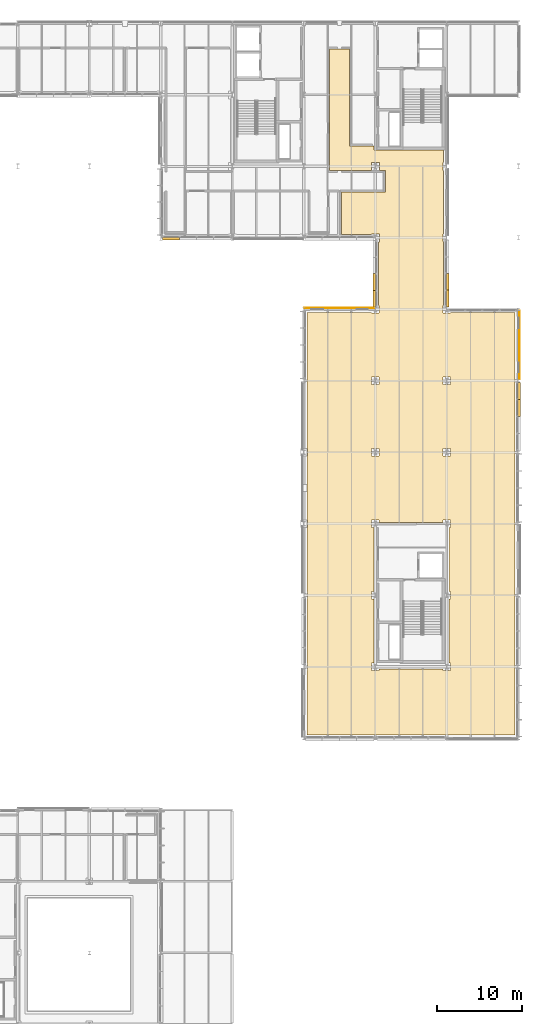
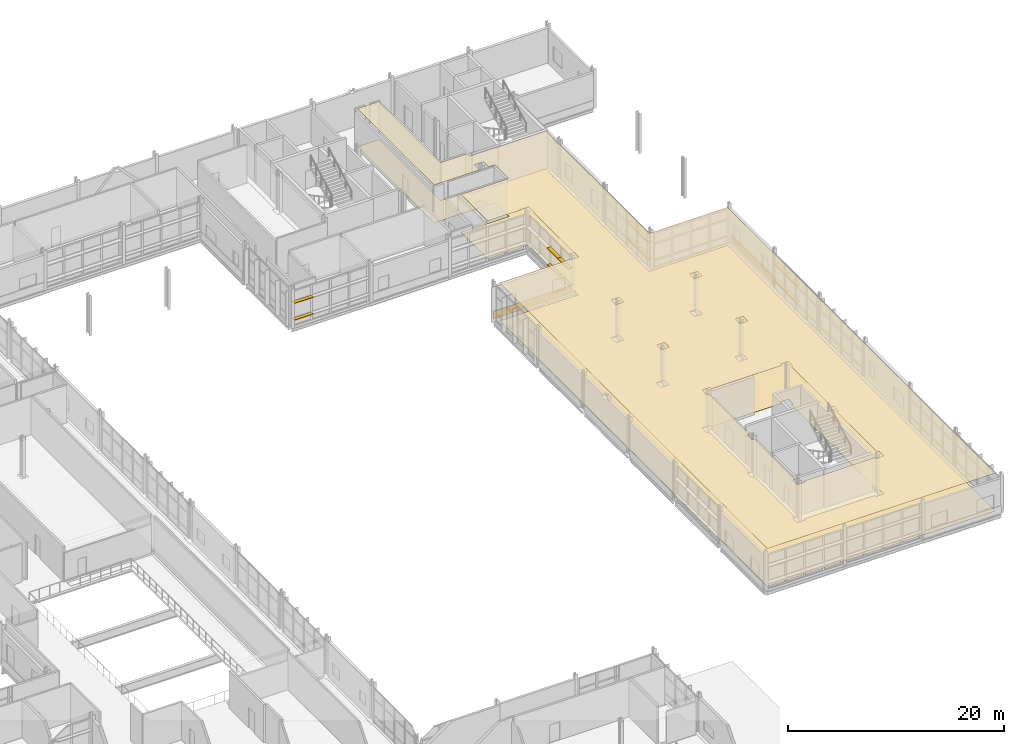
# One storey, part 125 of 129: 14 shading devices, 4 coverings.
"""IFC4 building model written with IfcOpenShell, lengths in metres."""

import ifcopenshell
import ifcopenshell.guid

model = None  # the IFC model being written
_history = None  # IfcOwnerHistory: only IFC2X3 demands one
_inside = {}  # id of a spatial element -> (the spatial element, [elements in it])
_under = {}  # id of a project, library or spatial element -> (it, [spatial elements below it])
_declared = {}  # id of a project -> (the project, [libraries it declares])
_typed = {}  # id of a type object -> (the type object, [elements of that type])
_made_of = {}  # id of a material, layer set ... -> (it, [elements and type objects made of it])


def new_model(schema):
    """Start an empty IFC model of exactly this schema.

    Asked for "IFC4X3", IfcOpenShell would pick the latest addendum, in which some entities
    have other attributes; the version numbers below select the first issue.
    IFC2X3 requires an IfcOwnerHistory on every rooted entity: one is made here for all.
    """
    global model, _history
    if schema == "IFC4X3":
        model = ifcopenshell.file(schema_version=(4, 3, 0, 0))
    else:
        model = ifcopenshell.file(schema=schema)
    _inside.clear()
    _under.clear()
    _declared.clear()
    _typed.clear()
    _made_of.clear()
    _history = None
    if model.schema == "IFC2X3":
        org = make("IfcOrganization", Name="unknown")
        user = make(
            "IfcPersonAndOrganization",
            ThePerson=make("IfcPerson", FamilyName="unknown"),
            TheOrganization=org,
        )
        app = make(
            "IfcApplication",
            ApplicationDeveloper=org,
            Version="unknown",
            ApplicationFullName="unknown",
            ApplicationIdentifier="unknown",
        )
        _history = make(
            "IfcOwnerHistory",
            OwningUser=user,
            OwningApplication=app,
            ChangeAction="ADDED",
            CreationDate=0,
        )
    return model


def make(cls, **values):
    """One entity of the class cls with the attributes given. An attribute that is None is left unset."""
    return model.create_entity(
        cls, **{name: value for name, value in values.items() if value is not None}
    )


def rooted(cls, **values):
    """An entity with a GlobalId (a new one), such as an element, a storey or a relation."""
    return make(cls, GlobalId=ifcopenshell.guid.new(), OwnerHistory=_history, **values)


def si_unit(unit_type, name, prefix=None):
    """IfcSIUnit, for example si_unit("LENGTHUNIT", "METRE", prefix="MILLI")."""
    return make("IfcSIUnit", UnitType=unit_type, Prefix=prefix, Name=name)


def assignment(units):
    """IfcUnitAssignment: the units of a project."""
    return None if units is None else make("IfcUnitAssignment", Units=units)


def point(xyz):
    """IfcCartesianPoint."""
    return None if xyz is None else make("IfcCartesianPoint", Coordinates=xyz)


def direction(xyz):
    """IfcDirection."""
    return None if xyz is None else make("IfcDirection", DirectionRatios=xyz)


def frame(location, z_axis=None, x_axis=None):
    """IfcAxis2Placement3D, a coordinate frame: its origin and axes. An axis left out is left unset."""
    return make(
        "IfcAxis2Placement3D",
        Location=point(location),
        Axis=direction(z_axis),
        RefDirection=direction(x_axis),
    )


def frame_2d(location, x_axis=None):
    """IfcAxis2Placement2D, a coordinate frame in the plane: its origin and x axis."""
    return make(
        "IfcAxis2Placement2D", Location=point(location), RefDirection=direction(x_axis)
    )


def origin():
    """The frame at (0, 0, 0) with its axes left unset."""
    return frame((0.0, 0.0, 0.0))


def origin_2d():
    """The frame at (0, 0) in the plane with its x axis left unset."""
    return frame_2d((0.0, 0.0))


def place(relative_to, where):
    """IfcLocalPlacement: puts the frame where relative to a parent placement (None: the world)."""
    return make(
        "IfcLocalPlacement", PlacementRelTo=relative_to, RelativePlacement=where
    )


def context(
    kind, dimensions, precision=None, world=None, true_north=None, identifier=None
):
    """IfcGeometricRepresentationContext, for example the 3D "Model" context."""
    return make(
        "IfcGeometricRepresentationContext",
        ContextIdentifier=identifier,
        ContextType=kind,
        CoordinateSpaceDimension=dimensions,
        Precision=precision,
        WorldCoordinateSystem=world,
        TrueNorth=true_north,
    )


def subcontext(parent, identifier, kind, view, scale=None):
    """IfcGeometricRepresentationSubContext, for example "Body" below "Model"."""
    return make(
        "IfcGeometricRepresentationSubContext",
        ContextIdentifier=identifier,
        ContextType=kind,
        ParentContext=parent,
        TargetScale=scale,
        TargetView=view,
    )


def project(units=None, contexts=None):
    """IfcProject with its units and contexts."""
    return rooted(
        "IfcProject",
        Name="project",
        RepresentationContexts=contexts,
        UnitsInContext=assignment(units),
    )


def spatial(cls, under=None, at=None, **own):
    """A site, building, storey or space (cls), placed at a placement, below another one or the project."""
    s = rooted(cls, ObjectPlacement=at, **own)
    if under is not None:
        _under.setdefault(under.id(), (under, []))[1].append(s)
    return s


def polyline(points):
    """IfcPolyline through the points."""
    return make("IfcPolyline", Points=[point(p) for p in points])


def profile(cls, at=None, kind="AREA", **sizes):
    """A parametric profile (cls). Its sizes go by their IFC names, for example OverallWidth=200.0."""
    return make(cls, ProfileType=kind, Position=at, **sizes)


def rectangle(**sizes):
    """IfcRectangleProfileDef."""
    return profile("IfcRectangleProfileDef", **sizes)


def outline(outer, holes=None, kind="AREA"):
    """IfcArbitraryClosedProfileDef: a profile drawn as a closed curve; with holes, ...WithVoids."""
    if holes is None:
        return make("IfcArbitraryClosedProfileDef", ProfileType=kind, OuterCurve=outer)
    return make(
        "IfcArbitraryProfileDefWithVoids",
        ProfileType=kind,
        OuterCurve=outer,
        InnerCurves=holes,
    )


def extrude(swept, where, along, depth):
    """IfcExtrudedAreaSolid: the profile swept, set in the frame where, extruded along a direction by depth."""
    return make(
        "IfcExtrudedAreaSolid",
        SweptArea=swept,
        Position=where,
        ExtrudedDirection=direction(along),
        Depth=depth,
    )


def shape(context_of_items, identifier, shape_type, items):
    """IfcShapeRepresentation: the items that make up one representation, for example the "Body"."""
    return make(
        "IfcShapeRepresentation",
        ContextOfItems=context_of_items,
        RepresentationIdentifier=identifier,
        RepresentationType=shape_type,
        Items=items,
    )


def material(Name=None, Category=None):
    """IfcMaterial."""
    return make("IfcMaterial", Name=Name, Category=Category)


def layer(
    of_material, thickness, ventilated=None, Name=None, Category=None, Priority=None
):
    """IfcMaterialLayer: one layer of a wall or slab, of a material (None: an air gap)."""
    return make(
        "IfcMaterialLayer",
        Material=of_material,
        LayerThickness=thickness,
        IsVentilated=ventilated,
        Name=Name,
        Category=Category,
        Priority=Priority,
    )


def layer_set(layers, Name=None):
    """IfcMaterialLayerSet."""
    return make("IfcMaterialLayerSet", MaterialLayers=layers, LayerSetName=Name)


def made_of(thing, what):
    """Note that an element or type object is made of a material, layer set ...; save() writes the relation."""
    if what is not None:
        _made_of.setdefault(what.id(), (what, []))[1].append(thing)
    return thing


def type_object(cls, material=None, **own):
    """A type object (cls), such as IfcWallType, which elements share."""
    return made_of(rooted(cls, **own), material)


def element(
    cls,
    number,
    at=None,
    inside=None,
    cuts=None,
    type_object=None,
    material=None,
    context=None,
    identifier="Body",
    shape_type=None,
    held_by="IfcProductDefinitionShape",
    body=None,
    shapes=None,
    **own,
):
    """One element of the class cls, such as IfcWall. Its Tag is "e" and its number.

    at: its placement. inside: the storey or other place that contains it. cuts: it is an
    opening in that element (IfcRelVoidsElement). A single representation is given by context,
    identifier, shape_type and body (its items); several are given by shapes. held_by: the class
    of the entity that holds the representations. save() writes the other relations.
    """
    e = rooted(cls, Tag="e%d" % number, ObjectPlacement=at, **own)
    if body is not None:
        shapes = [shape(context, identifier, shape_type, body)]
    if shapes is not None:
        e.Representation = make(held_by, Representations=shapes)
    if inside is not None:
        _inside.setdefault(inside.id(), (inside, []))[1].append(e)
    if cuts is not None:
        rooted(
            "IfcRelVoidsElement", RelatingBuildingElement=cuts, RelatedOpeningElement=e
        )
    if type_object is not None:
        _typed.setdefault(type_object.id(), (type_object, []))[1].append(e)
    return made_of(e, material)


def aggregate(whole, parts):
    """IfcRelAggregates: a whole, such as a stair, and the parts it consists of."""
    return rooted("IfcRelAggregates", RelatingObject=whole, RelatedObjects=parts)


def save(model, path):
    """Write the relations noted so far, then the file.

    IfcRelAggregates (storeys below a building ...), IfcRelContainedInSpatialStructure (elements
    in a storey), IfcRelDefinesByType, IfcRelAssociatesMaterial and IfcRelDeclares: one each for
    every whole, place, type object, material and project.
    """
    for whole, parts in _under.values():
        aggregate(whole, parts)
    for where, things in _inside.values():
        rooted(
            "IfcRelContainedInSpatialStructure",
            RelatedElements=things,
            RelatingStructure=where,
        )
    for kind, things in _typed.values():
        rooted("IfcRelDefinesByType", RelatedObjects=things, RelatingType=kind)
    for what, things in _made_of.values():
        rooted("IfcRelAssociatesMaterial", RelatedObjects=things, RelatingMaterial=what)
    for by, libraries in _declared.values():
        rooted("IfcRelDeclares", RelatingContext=by, RelatedDefinitions=libraries)
    model.write(path)


model = new_model("IFC4")

# Units and contexts
model_context = context("Model", 3, precision=1e-05, world=origin(), true_north=direction((0.0, 1.0)))
body_context = subcontext(model_context, "Body", "Model", "MODEL_VIEW")
ifc_project = project(units=[si_unit("LENGTHUNIT", "METRE"), si_unit("AREAUNIT", "SQUARE_METRE"), si_unit("VOLUMEUNIT", "CUBIC_METRE"), si_unit("PLANEANGLEUNIT", "RADIAN"), si_unit("MASSUNIT", "GRAM", prefix="KILO")], contexts=[model_context])

# Site, building, storey
site_placement = place(None, origin())
site = spatial("IfcSite", under=ifc_project, at=site_placement, CompositionType="ELEMENT")
building_placement = place(site_placement, origin())
building = spatial("IfcBuilding", under=site, at=building_placement, Name="Mersafa Astral City Hall", CompositionType="ELEMENT")
storey_placement = place(building_placement, frame((0.0, 0.0, 5.39990234375)))
storey = spatial("IfcBuildingStorey", under=building, at=storey_placement, Name="L01", CompositionType="ELEMENT", Elevation=5.39990234375)

# Coverings
ifc_material_1 = material(Name="Cairo Mokattam buff limestone cladding", Category="masonry")
ifc_layer_1 = layer(ifc_material_1, 0.06005859375, Name="Cairo Mokattam buff limestone cladding")
ifc_layer_set_1 = layer_set([ifc_layer_1], Name="Cairo Mokattam buff limestone cladding — ENV-COV-LIMESTONE-60")
covering_type_1 = type_object("IfcCoveringType", Name="ENV-COV-LIMESTONE-60", PredefinedType="CLADDING", material=ifc_layer_set_1)
covering_1_placement = place(storey_placement, frame((163.800048828125, 92.576904296875, 0.0), z_axis=(0.0, 0.0, 1.0), x_axis=(-1.0, 0.0, 0.0)))
element("IfcCovering", 1, at=covering_1_placement, inside=storey, type_object=covering_type_1, Name="L01 Cairo buff limestone rainscreen cladding 84", PredefinedType="CLADDING", context=body_context, shape_type="SweptSolid", body=[
    extrude(rectangle(XDim=8.323974609375, YDim=0.06005859375, at=origin_2d()), origin(), (0.0, 0.0, 1.0), 0.860107421875),
])
covering_2_placement = place(storey_placement, frame((184.969482421875, 88.199951171875, 0.0), z_axis=(0.0, 0.0, 1.0), x_axis=(0.0, 1.0, 0.0)))
element("IfcCovering", 2, at=covering_2_placement, inside=storey, type_object=covering_type_1, Name="L01 Cairo buff limestone rainscreen cladding 91", PredefinedType="CLADDING", context=body_context, shape_type="SweptSolid", body=[
    extrude(rectangle(XDim=8.048095703125, YDim=0.06005859375, at=origin_2d()), origin(), (0.0, 0.0, 1.0), 0.860107421875),
])

# Shading devices
ifc_material_2 = material(Name="Kiln-dried cedar timber brise-soleil blade", Category="wood")
shading_device_type = type_object("IfcShadingDeviceType", Name="ENV-SHD-LOUVRE-380", PredefinedType="JALOUSIE", material=ifc_material_2)
for number, where, z_axis, x_axis, name in (
    (3, (143.986572265625, 100.719970703125, 0.81494140625), (0.0, 0.0, 1.0), (1.0, 0.0, 0.0), "L01 Horizontal cedar brise-soleil louvre 411"),
    (4, (143.986572265625, 100.719970703125, 2.71484375), (0.0, 0.0, 1.0), (1.0, 0.0, 0.0), "L01 Horizontal cedar brise-soleil louvre 415"),
):
    element("IfcShadingDevice", number, at=place(storey_placement, frame(where, z_axis=z_axis, x_axis=x_axis)), inside=storey, type_object=shading_device_type, Name=name, PredefinedType="JALOUSIE", context=body_context, shape_type="SweptSolid", body=[
        extrude(rectangle(XDim=2.029052734375, YDim=0.3798828125, at=origin_2d()), origin(), (0.0, 0.0, 1.0), 0.070068359375),
    ])
shading_device_1_placement = place(storey_placement, frame((167.919921875, 95.5966796875, 0.81494140625), z_axis=(0.0, 0.0, 1.0), x_axis=(0.0, -1.0, 0.0)))
element("IfcShadingDevice", 5, at=shading_device_1_placement, inside=storey, type_object=shading_device_type, Name="L01 Horizontal cedar brise-soleil louvre 429", PredefinedType="JALOUSIE", context=body_context, shape_type="SweptSolid", body=[
    extrude(rectangle(XDim=1.99658203125, YDim=0.3798828125, at=origin_2d()), origin(), (0.0, 0.0, 1.0), 0.070068359375),
])
shading_device_2_placement = place(storey_placement, frame((167.919921875, 93.6552734375, 0.81494140625), z_axis=(0.0, 0.0, 1.0), x_axis=(0.0, -1.0, 0.0)))
element("IfcShadingDevice", 6, at=shading_device_2_placement, inside=storey, type_object=shading_device_type, Name="L01 Horizontal cedar brise-soleil louvre 430", PredefinedType="JALOUSIE", context=body_context, shape_type="SweptSolid", body=[
    extrude(rectangle(XDim=1.966552734375, YDim=0.3798828125, at=origin_2d()), origin(), (0.0, 0.0, 1.0), 0.070068359375),
])
shading_device_3_placement = place(storey_placement, frame((167.919921875, 95.5966796875, 2.71484375), z_axis=(0.0, 0.0, 1.0), x_axis=(0.0, -1.0, 0.0)))
element("IfcShadingDevice", 7, at=shading_device_3_placement, inside=storey, type_object=shading_device_type, Name="L01 Horizontal cedar brise-soleil louvre 433", PredefinedType="JALOUSIE", context=body_context, shape_type="SweptSolid", body=[
    extrude(rectangle(XDim=1.99658203125, YDim=0.3798828125, at=origin_2d()), origin(), (0.0, 0.0, 1.0), 0.070068359375),
])
shading_device_4_placement = place(storey_placement, frame((167.919921875, 93.6552734375, 2.71484375), z_axis=(0.0, 0.0, 1.0), x_axis=(0.0, -1.0, 0.0)))
element("IfcShadingDevice", 8, at=shading_device_4_placement, inside=storey, type_object=shading_device_type, Name="L01 Horizontal cedar brise-soleil louvre 434", PredefinedType="JALOUSIE", context=body_context, shape_type="SweptSolid", body=[
    extrude(rectangle(XDim=1.966552734375, YDim=0.3798828125, at=origin_2d()), origin(), (0.0, 0.0, 1.0), 0.070068359375),
])
shading_device_5_placement = place(storey_placement, frame((184.8798828125, 80.8095703125, 0.81494140625), z_axis=(0.0, 0.0, 1.0), x_axis=(0.0, 1.0, 0.0)))
element("IfcShadingDevice", 9, at=shading_device_5_placement, inside=storey, type_object=shading_device_type, Name="L01 Horizontal cedar brise-soleil louvre 484", PredefinedType="JALOUSIE", context=body_context, shape_type="SweptSolid", body=[
    extrude(rectangle(XDim=2.05908203125, YDim=0.3798828125, at=origin_2d()), origin(), (0.0, 0.0, 1.0), 0.070068359375),
])
shading_device_6_placement = place(storey_placement, frame((184.8798828125, 82.8134765625, 0.81494140625), z_axis=(0.0, 0.0, 1.0), x_axis=(0.0, 1.0, 0.0)))
element("IfcShadingDevice", 10, at=shading_device_6_placement, inside=storey, type_object=shading_device_type, Name="L01 Horizontal cedar brise-soleil louvre 485", PredefinedType="JALOUSIE", context=body_context, shape_type="SweptSolid", body=[
    extrude(rectangle(XDim=2.029052734375, YDim=0.3798828125, at=origin_2d()), origin(), (0.0, 0.0, 1.0), 0.070068359375),
])
shading_device_7_placement = place(storey_placement, frame((184.8798828125, 80.8095703125, 2.71484375), z_axis=(0.0, 0.0, 1.0), x_axis=(0.0, 1.0, 0.0)))
element("IfcShadingDevice", 11, at=shading_device_7_placement, inside=storey, type_object=shading_device_type, Name="L01 Horizontal cedar brise-soleil louvre 488", PredefinedType="JALOUSIE", context=body_context, shape_type="SweptSolid", body=[
    extrude(rectangle(XDim=2.05908203125, YDim=0.3798828125, at=origin_2d()), origin(), (0.0, 0.0, 1.0), 0.070068359375),
])
shading_device_8_placement = place(storey_placement, frame((184.8798828125, 82.8134765625, 2.71484375), z_axis=(0.0, 0.0, 1.0), x_axis=(0.0, 1.0, 0.0)))
element("IfcShadingDevice", 12, at=shading_device_8_placement, inside=storey, type_object=shading_device_type, Name="L01 Horizontal cedar brise-soleil louvre 489", PredefinedType="JALOUSIE", context=body_context, shape_type="SweptSolid", body=[
    extrude(rectangle(XDim=2.029052734375, YDim=0.3798828125, at=origin_2d()), origin(), (0.0, 0.0, 1.0), 0.070068359375),
])
shading_device_9_placement = place(storey_placement, frame((176.47998046875, 93.66162109375, 0.81494140625), z_axis=(0.0, 0.0, 1.0), x_axis=(0.0, 1.0, 0.0)))
element("IfcShadingDevice", 13, at=shading_device_9_placement, inside=storey, type_object=shading_device_type, Name="L01 Horizontal cedar brise-soleil louvre 490", PredefinedType="JALOUSIE", context=body_context, shape_type="SweptSolid", body=[
    extrude(rectangle(XDim=1.97900390625, YDim=0.3798828125, at=origin_2d()), origin(), (0.0, 0.0, 1.0), 0.070068359375),
])
shading_device_10_placement = place(storey_placement, frame((176.47998046875, 95.615478515625, 0.81494140625), z_axis=(0.0, 0.0, 1.0), x_axis=(0.0, 1.0, 0.0)))
element("IfcShadingDevice", 14, at=shading_device_10_placement, inside=storey, type_object=shading_device_type, Name="L01 Horizontal cedar brise-soleil louvre 491", PredefinedType="JALOUSIE", context=body_context, shape_type="SweptSolid", body=[
    extrude(rectangle(XDim=2.009033203125, YDim=0.3798828125, at=origin_2d()), origin(), (0.0, 0.0, 1.0), 0.070068359375),
])
shading_device_11_placement = place(storey_placement, frame((176.47998046875, 93.66162109375, 2.71484375), z_axis=(0.0, 0.0, 1.0), x_axis=(0.0, 1.0, 0.0)))
element("IfcShadingDevice", 15, at=shading_device_11_placement, inside=storey, type_object=shading_device_type, Name="L01 Horizontal cedar brise-soleil louvre 494", PredefinedType="JALOUSIE", context=body_context, shape_type="SweptSolid", body=[
    extrude(rectangle(XDim=1.97900390625, YDim=0.3798828125, at=origin_2d()), origin(), (0.0, 0.0, 1.0), 0.070068359375),
])
shading_device_12_placement = place(storey_placement, frame((176.47998046875, 95.615478515625, 2.71484375), z_axis=(0.0, 0.0, 1.0), x_axis=(0.0, 1.0, 0.0)))
element("IfcShadingDevice", 16, at=shading_device_12_placement, inside=storey, type_object=shading_device_type, Name="L01 Horizontal cedar brise-soleil louvre 495", PredefinedType="JALOUSIE", context=body_context, shape_type="SweptSolid", body=[
    extrude(rectangle(XDim=2.009033203125, YDim=0.3798828125, at=origin_2d()), origin(), (0.0, 0.0, 1.0), 0.070068359375),
])

# Coverings
ifc_material_3 = material(Name="Perforated acoustic gypsum board ceiling", Category="gypsum")
ifc_layer_2 = layer(ifc_material_3, 0.02490234375, Name="Perforated acoustic gypsum board ceiling")
ifc_layer_set_2 = layer_set([ifc_layer_2], Name="Perforated acoustic gypsum board ceiling — INT-COV-CEIL-25")
covering_type_2 = type_object("IfcCoveringType", Name="INT-COV-CEIL-25", PredefinedType="CEILING", material=ifc_layer_set_2)
covering_3_placement = place(storey_placement, frame((0.0, 0.0, 4.281005859375)))
element("IfcCovering", 17, at=covering_3_placement, inside=storey, type_object=covering_type_2, Name="L01 Civic Ombudsman Consultation Suite L01-05 acoustic ceiling", PredefinedType="CEILING", context=body_context, shape_type="SweptSolid", body=[
    extrude(outline(polyline([(160.02001953125, 49.97998046875), (160.02001953125, 50.820068359375), (160.0, 50.820068359375), (160.0, 58.3798828125), (160.02001953125, 58.3798828125), (160.02001953125, 59.219970703125), (160.0, 59.219970703125), (160.0, 66.780029296875), (160.02001953125, 66.780029296875), (160.02001953125, 67.6201171875), (160.0, 67.6201171875), (160.0, 75.179931640625), (160.02001953125, 75.179931640625), (160.02001953125, 76.02001953125), (160.0, 76.02001953125), (160.0, 92.0), (167.580078125, 92.0), (167.580078125, 91.97998046875), (168.419921875, 91.97998046875), (168.419921875, 92.820068359375), (168.39990234375, 92.820068359375), (168.39990234375, 100.330078125), (168.469970703125, 100.330078125), (168.469970703125, 101.27001953125), (167.530029296875, 101.27001953125), (167.530029296875, 101.199951171875), (164.030029296875, 101.199951171875), (164.030029296875, 106.159912109375), (169.169921875, 106.159912109375), (169.169921875, 108.719970703125), (162.639892578125, 108.719970703125), (162.639892578125, 122.9599609375), (164.9599609375, 122.9599609375), (164.9599609375, 111.56005859375), (167.840087890625, 111.56005859375), (167.840087890625, 111.1201171875), (176.0, 111.1201171875), (176.0, 109.669921875), (175.929931640625, 109.669921875), (175.929931640625, 108.72998046875), (176.0, 108.72998046875), (176.0, 101.219970703125), (175.97998046875, 101.219970703125), (175.97998046875, 100.3798828125), (176.0, 100.3798828125), (176.0, 92.820068359375), (175.97998046875, 92.820068359375), (175.97998046875, 91.97998046875), (176.820068359375, 91.97998046875), (176.820068359375, 92.0), (184.39990234375, 92.0), (184.39990234375, 42.39990234375), (160.0, 42.39990234375), (160.0, 49.97998046875), (160.02001953125, 49.97998046875)]), holes=[polyline([(175.97998046875, 50.169921875), (175.97998046875, 49.97998046875), (176.820068359375, 49.97998046875), (176.820068359375, 50.820068359375), (176.6298828125, 50.820068359375), (176.6298828125, 58.3798828125), (176.820068359375, 58.3798828125), (176.820068359375, 59.219970703125), (176.6298828125, 59.219970703125), (176.6298828125, 66.780029296875), (176.820068359375, 66.780029296875), (176.820068359375, 67.6201171875), (175.97998046875, 67.6201171875), (175.97998046875, 67.360107421875), (168.419921875, 67.360107421875), (168.419921875, 67.6201171875), (167.580078125, 67.6201171875), (167.580078125, 66.780029296875), (167.840087890625, 66.780029296875), (167.840087890625, 59.219970703125), (167.580078125, 59.219970703125), (167.580078125, 58.3798828125), (167.840087890625, 58.3798828125), (167.840087890625, 50.820068359375), (167.580078125, 50.820068359375), (167.580078125, 49.97998046875), (168.419921875, 49.97998046875), (168.419921875, 50.169921875), (175.97998046875, 50.169921875)]), polyline([(175.97998046875, 75.179931640625), (176.820068359375, 75.179931640625), (176.820068359375, 76.02001953125), (175.97998046875, 76.02001953125), (175.97998046875, 75.179931640625)]), polyline([(175.97998046875, 83.580078125), (176.820068359375, 83.580078125), (176.820068359375, 84.419921875), (175.97998046875, 84.419921875), (175.97998046875, 83.580078125)]), polyline([(167.530029296875, 108.72998046875), (168.469970703125, 108.72998046875), (168.469970703125, 109.669921875), (167.530029296875, 109.669921875), (167.530029296875, 108.72998046875)]), polyline([(167.580078125, 75.179931640625), (168.419921875, 75.179931640625), (168.419921875, 76.02001953125), (167.580078125, 76.02001953125), (167.580078125, 75.179931640625)]), polyline([(167.580078125, 83.580078125), (168.419921875, 83.580078125), (168.419921875, 84.419921875), (167.580078125, 84.419921875), (167.580078125, 83.580078125)])]), origin(), (0.0, 0.0, 1.0), 0.025146484375),
])
ifc_material_4 = material(Name="Honed Cairo limestone terrazzo flooring", Category="masonry")
ifc_layer_3 = layer(ifc_material_4, 0.02001953125, Name="Honed Cairo limestone terrazzo flooring")
ifc_layer_set_3 = layer_set([ifc_layer_3], Name="Honed Cairo limestone terrazzo flooring — INT-COV-FLR-20")
covering_type_3 = type_object("IfcCoveringType", Name="INT-COV-FLR-20", PredefinedType="FLOORING", material=ifc_layer_set_3)
covering_4_placement = place(storey_placement, frame((0.0, 0.0, -0.00146484375)))
element("IfcCovering", 18, at=covering_4_placement, inside=storey, type_object=covering_type_3, Name="L01 Civic Ombudsman Consultation Suite L01-05 architectural flooring", PredefinedType="FLOORING", context=body_context, shape_type="SweptSolid", body=[
    extrude(outline(polyline([(160.02001953125, 49.97998046875), (160.02001953125, 50.820068359375), (160.0, 50.820068359375), (160.0, 58.3798828125), (160.02001953125, 58.3798828125), (160.02001953125, 59.219970703125), (160.0, 59.219970703125), (160.0, 66.780029296875), (160.02001953125, 66.780029296875), (160.02001953125, 67.6201171875), (160.0, 67.6201171875), (160.0, 75.179931640625), (160.02001953125, 75.179931640625), (160.02001953125, 76.02001953125), (160.0, 76.02001953125), (160.0, 92.0), (167.580078125, 92.0), (167.580078125, 91.97998046875), (168.419921875, 91.97998046875), (168.419921875, 92.820068359375), (168.39990234375, 92.820068359375), (168.39990234375, 100.330078125), (168.469970703125, 100.330078125), (168.469970703125, 101.27001953125), (167.530029296875, 101.27001953125), (167.530029296875, 101.199951171875), (164.030029296875, 101.199951171875), (164.030029296875, 106.159912109375), (169.169921875, 106.159912109375), (169.169921875, 108.719970703125), (162.639892578125, 108.719970703125), (162.639892578125, 122.9599609375), (164.9599609375, 122.9599609375), (164.9599609375, 111.56005859375), (167.840087890625, 111.56005859375), (167.840087890625, 111.1201171875), (176.0, 111.1201171875), (176.0, 109.669921875), (175.929931640625, 109.669921875), (175.929931640625, 108.72998046875), (176.0, 108.72998046875), (176.0, 101.219970703125), (175.97998046875, 101.219970703125), (175.97998046875, 100.3798828125), (176.0, 100.3798828125), (176.0, 92.820068359375), (175.97998046875, 92.820068359375), (175.97998046875, 91.97998046875), (176.820068359375, 91.97998046875), (176.820068359375, 92.0), (184.39990234375, 92.0), (184.39990234375, 42.39990234375), (160.0, 42.39990234375), (160.0, 49.97998046875), (160.02001953125, 49.97998046875)]), holes=[polyline([(175.97998046875, 50.169921875), (175.97998046875, 49.97998046875), (176.820068359375, 49.97998046875), (176.820068359375, 50.820068359375), (176.6298828125, 50.820068359375), (176.6298828125, 58.3798828125), (176.820068359375, 58.3798828125), (176.820068359375, 59.219970703125), (176.6298828125, 59.219970703125), (176.6298828125, 66.780029296875), (176.820068359375, 66.780029296875), (176.820068359375, 67.6201171875), (175.97998046875, 67.6201171875), (175.97998046875, 67.360107421875), (168.419921875, 67.360107421875), (168.419921875, 67.6201171875), (167.580078125, 67.6201171875), (167.580078125, 66.780029296875), (167.840087890625, 66.780029296875), (167.840087890625, 59.219970703125), (167.580078125, 59.219970703125), (167.580078125, 58.3798828125), (167.840087890625, 58.3798828125), (167.840087890625, 50.820068359375), (167.580078125, 50.820068359375), (167.580078125, 49.97998046875), (168.419921875, 49.97998046875), (168.419921875, 50.169921875), (175.97998046875, 50.169921875)]), polyline([(175.97998046875, 75.179931640625), (176.820068359375, 75.179931640625), (176.820068359375, 76.02001953125), (175.97998046875, 76.02001953125), (175.97998046875, 75.179931640625)]), polyline([(175.97998046875, 83.580078125), (176.820068359375, 83.580078125), (176.820068359375, 84.419921875), (175.97998046875, 84.419921875), (175.97998046875, 83.580078125)]), polyline([(167.530029296875, 108.72998046875), (168.469970703125, 108.72998046875), (168.469970703125, 109.669921875), (167.530029296875, 109.669921875), (167.530029296875, 108.72998046875)]), polyline([(167.580078125, 75.179931640625), (168.419921875, 75.179931640625), (168.419921875, 76.02001953125), (167.580078125, 76.02001953125), (167.580078125, 75.179931640625)]), polyline([(167.580078125, 83.580078125), (168.419921875, 83.580078125), (168.419921875, 84.419921875), (167.580078125, 84.419921875), (167.580078125, 83.580078125)])]), origin(), (0.0, 0.0, 1.0), 0.02001953125),
])

save(model, "model.ifc")
